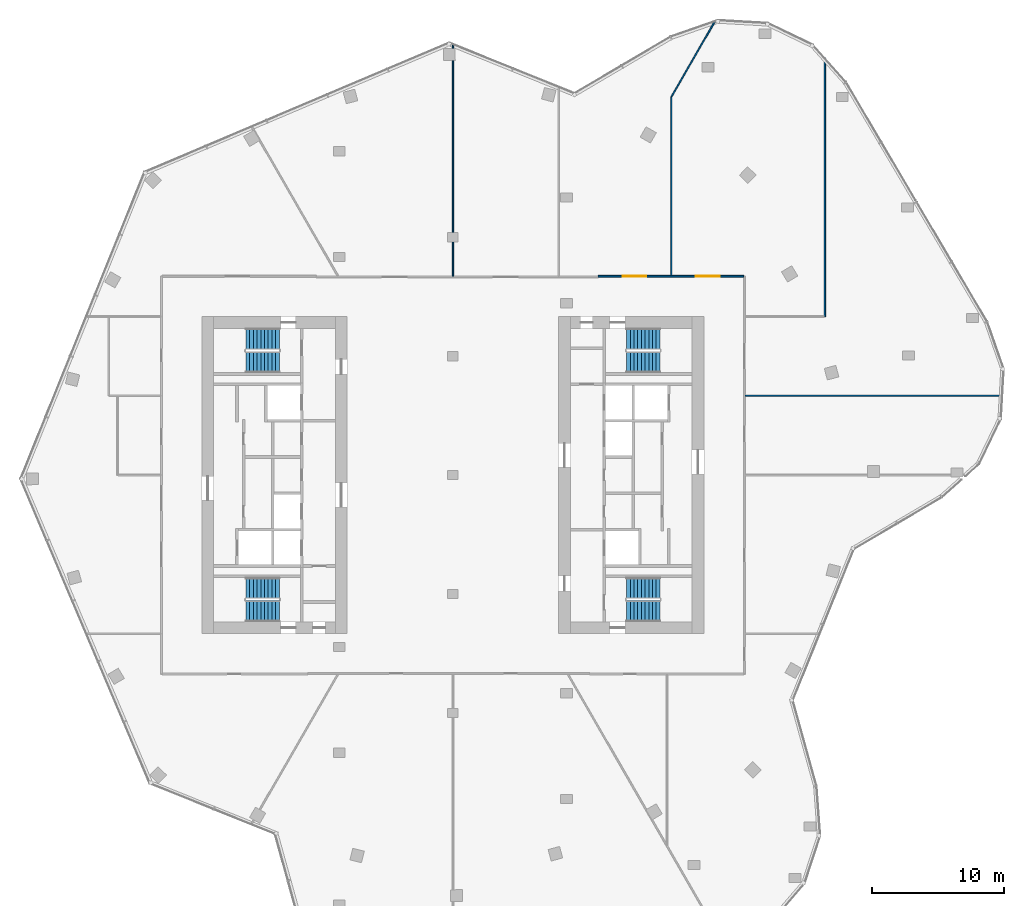
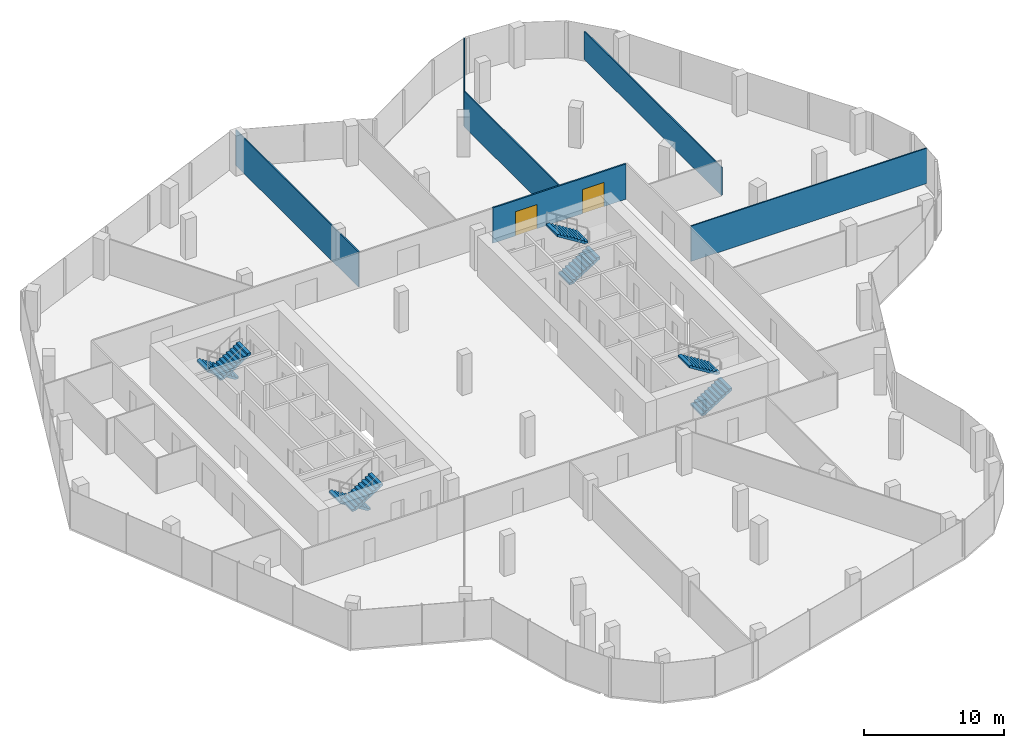
# One storey, part 15 of 16: 8 stair flights, 6 walls, 2 doors, 2 openings, 4 elements without a shape of their own.
"""IFC4 building model written with IfcOpenShell, lengths in metres."""

from ifc_helpers import new_model, si_unit, direction, frame, frame_2d, origin, place, context, subcontext, project, spatial, polyline, rectangle, outline, extrude, material, layer, layer_set, type_object, element, fill, aggregate, save


model = new_model("IFC4")

# Units and contexts
model_context = context("Model", 3, precision=1e-05, world=origin(), true_north=direction((0.0, 1.0)))
body_context = subcontext(model_context, "Body", "Model", "MODEL_VIEW")
ifc_project = project(units=[si_unit("LENGTHUNIT", "METRE"), si_unit("AREAUNIT", "SQUARE_METRE"), si_unit("VOLUMEUNIT", "CUBIC_METRE"), si_unit("PLANEANGLEUNIT", "RADIAN"), si_unit("MASSUNIT", "GRAM", prefix="KILO")], contexts=[model_context])

# Site, building, storey
site_placement = place(None, origin())
site = spatial("IfcSite", under=ifc_project, at=site_placement, CompositionType="ELEMENT")
building_placement = place(site_placement, origin())
building = spatial("IfcBuilding", under=site, at=building_placement, Name="Orlundy Tower", CompositionType="ELEMENT")
storey_placement = place(building_placement, frame((0.0, 0.0, 285.89990234375)))
storey = spatial("IfcBuildingStorey", under=building, at=storey_placement, Name="L76", CompositionType="ELEMENT", Elevation=285.89990234375)

# Walls
ifc_material_1 = material(Name="Gypsum board partition")
ifc_layer_1 = layer(ifc_material_1, 0.10009765625)
ifc_layer_set_1 = layer_set([ifc_layer_1], Name="Floor partition 100")
wall_type_1 = type_object("IfcWallType", Name="Floor partition 100", PredefinedType="PARTITIONING", material=ifc_layer_set_1)
wall_1_placement = place(storey_placement, frame((22.113037109375, 6.0, 0.0), z_axis=(0.0, 0.0, 1.0), x_axis=(1.0, 0.0, 0.0)))
element("IfcWall", 1, at=wall_1_placement, inside=storey, type_object=wall_type_1, Name="wall-int-L76-011", PredefinedType="PARTITIONING", context=body_context, shape_type="SweptSolid", body=[
    extrude(rectangle(XDim=19.469970703125, YDim=0.10009765625, at=frame_2d((9.73486328125, 0.0))), origin(), (0.0, 0.0, 1.0), 3.080078125),
])
wall_2_placement = place(storey_placement, frame((16.5458984375, 28.656982421875, 0.0), z_axis=(0.0, 0.0, 1.0), x_axis=(0.499962356603, 0.866047136119, 0.0)))
element("IfcWall", 2, at=wall_2_placement, inside=storey, type_object=wall_type_1, Name="wall-int-L76-018", PredefinedType="PARTITIONING", context=body_context, shape_type="SweptSolid", body=[
    extrude(rectangle(XDim=6.60693359375, YDim=0.10009765625, at=frame_2d((3.303466796875, 0.0))), origin(), (0.0, 0.0, 1.0), 3.080078125),
])
wall_3_placement = place(storey_placement, frame((16.52099609375, 15.114013671875, 0.0), z_axis=(0.0, 0.0, 1.0), x_axis=(0.0, 1.0, 0.0)))
element("IfcWall", 3, at=wall_3_placement, inside=storey, type_object=wall_type_1, Name="wall-int-L76-021", PredefinedType="PARTITIONING", context=body_context, shape_type="SweptSolid", body=[
    extrude(rectangle(XDim=13.5, YDim=0.10009765625, at=frame_2d((6.75, 0.0))), origin(), (0.0, 0.0, 1.0), 3.080078125),
])
wall_4_placement = place(storey_placement, frame((0.0, 15.06298828125, 0.0), z_axis=(0.0, 0.0, 1.0), x_axis=(0.0, 1.0, 0.0)))
element("IfcWall", 4, at=wall_4_placement, inside=storey, type_object=wall_type_1, Name="wall-int-L76-025", PredefinedType="PARTITIONING", context=body_context, shape_type="SweptSolid", body=[
    extrude(rectangle(XDim=17.56396484375, YDim=0.10009765625, at=frame_2d((8.781982421875, 0.0))), origin(), (0.0, 0.0, 1.0), 3.080078125),
])
ifc_material_2 = material(Name="Gypsum board partition")
ifc_layer_2 = layer(ifc_material_2, 0.10009765625)
ifc_layer_set_2 = layer_set([ifc_layer_2], Name="Floor partition 100 B")
wall_type_2 = type_object("IfcWallType", Name="Floor partition 100 B", PredefinedType="PARTITIONING", material=ifc_layer_set_2)
wall_5_placement = place(storey_placement, frame((28.14111328125, 12.0, 0.0), z_axis=(0.0, 0.0, 1.0), x_axis=(0.0, 1.0, 0.0)))
element("IfcWall", 5, at=wall_5_placement, inside=storey, type_object=wall_type_2, Name="wall-int-L76-019", PredefinedType="PARTITIONING", context=body_context, shape_type="SweptSolid", body=[
    extrude(rectangle(XDim=19.575927734375, YDim=0.10009765625, at=frame_2d((9.7880859375, 0.0))), origin(), (0.0, 0.0, 1.0), 2.445068359375),
])

# Wall, openings, doors
ifc_material_3 = material(Name="Gypsum board partition, double layer")
ifc_layer_3 = layer(ifc_material_3, 0.125)
ifc_layer_set_3 = layer_set([ifc_layer_3], Name="Floor partition 125")
wall_type_3 = type_object("IfcWallType", Name="Floor partition 125", PredefinedType="PARTITIONING", material=ifc_layer_set_3)
wall_6_placement = place(storey_placement, frame((10.990966796875, 15.051025390625, 0.0), z_axis=(0.0, 0.0, 1.0), x_axis=(1.0, 0.0, 0.0)))
wall_6 = element("IfcWall", 6, at=wall_6_placement, inside=storey, type_object=wall_type_3, Name="wall-int-L76-016", PredefinedType="PARTITIONING", context=body_context, shape_type="SweptSolid", body=[
    extrude(rectangle(XDim=10.9970703125, YDim=0.125, at=frame_2d((5.49853515625, 0.0))), origin(), (0.0, 0.0, 1.0), 3.080078125),
])
opening_1_placement = place(wall_6_placement, frame((7.3798828125, 0.0, 0.0)))
opening_1 = element("IfcOpeningElement", 7, at=opening_1_placement, cuts=wall_6, Name="Opening 58110", PredefinedType="OPENING", context=body_context, shape_type="SweptSolid", body=[
    extrude(rectangle(XDim=1.800048828125, YDim=2.10009765625, at=frame_2d((0.89990234375, 1.050048828125))), frame((0.0, 0.072509765625, 0.0), z_axis=(0.0, -1.0, 0.0), x_axis=(1.0, 0.0, 0.0)), (0.0, 0.0, 1.0), 0.14501953125),
])
opening_2_placement = place(wall_6_placement, frame((1.85009765625, 0.0, 0.0)))
opening_2 = element("IfcOpeningElement", 8, at=opening_2_placement, cuts=wall_6, Name="Opening 58111", PredefinedType="OPENING", context=body_context, shape_type="SweptSolid", body=[
    extrude(rectangle(XDim=1.800048828125, YDim=2.10009765625, at=frame_2d((0.89990234375, 1.050048828125))), frame((0.0, 0.072509765625, 0.0), z_axis=(0.0, -1.0, 0.0), x_axis=(1.0, 0.0, 0.0)), (0.0, 0.0, 1.0), 0.14501953125),
])
ifc_material_4 = material(Name="Timber door leaf", Category="wood")
door_type = type_object("IfcDoorType", Name="Floor door double 1800 FD30S", OperationType="NOTDEFINED", PredefinedType="DOOR", material=ifc_material_4)
door_1_placement = place(opening_1_placement, origin())
door_1 = element("IfcDoor", 9, at=door_1_placement, inside=storey, type_object=door_type, Name="Door 58110", OperationType="DOUBLE_DOOR_SINGLE_SWING", OverallHeight=2.10009765625, OverallWidth=1.800048828125, PredefinedType="DOOR", context=body_context, shape_type="SweptSolid", body=[
    extrude(rectangle(XDim=1.800048828125, YDim=2.10009765625, at=frame_2d((0.89990234375, 1.050048828125))), frame((0.0, 0.02490234375, 0.0), z_axis=(0.0, -1.0, 0.0), x_axis=(1.0, 0.0, 0.0)), (0.0, 0.0, 1.0), 0.050048828125),
])
fill(opening_1, door_1)
door_2_placement = place(opening_2_placement, origin())
door_2 = element("IfcDoor", 10, at=door_2_placement, inside=storey, type_object=door_type, Name="Door 58111", OperationType="DOUBLE_DOOR_SINGLE_SWING", OverallHeight=2.10009765625, OverallWidth=1.800048828125, PredefinedType="DOOR", context=body_context, shape_type="SweptSolid", body=[
    extrude(rectangle(XDim=1.800048828125, YDim=2.10009765625, at=frame_2d((0.89990234375, 1.050048828125))), frame((0.0, 0.02490234375, 0.0), z_axis=(0.0, -1.0, 0.0), x_axis=(1.0, 0.0, 0.0)), (0.0, 0.0, 1.0), 0.050048828125),
])
fill(opening_2, door_2)

# Stair, stair flights
ifc_material_5 = material(Name="Concrete C50/60", Category="concrete")
stair_type = type_object("IfcStairType", Name="Exit Stair 20 risers", PredefinedType="HALF_TURN_STAIR", material=ifc_material_5)
stair_1_placement = place(storey_placement, origin())
stair_1 = element("IfcStair", 11, at=stair_1_placement, inside=storey, type_object=stair_type, Name="L76 Exit Stair ST-W1", PredefinedType="HALF_TURN_STAIR")
ifc_material_6 = material(Name="Concrete C50/60", Category="concrete")
stair_flight_type = type_object("IfcStairFlightType", Name="Stair Flight 10 risers", PredefinedType="STRAIGHT", material=ifc_material_6)
stair_flight_1_placement = place(storey_placement, frame((-13.139892578125, 10.300048828125, 0.0), z_axis=(0.0, 0.0, 1.0), x_axis=(-1.0, 0.0, 0.0)))
stair_flight_1 = element("IfcStairFlight", 12, at=stair_flight_1_placement, type_object=stair_flight_type, Name="ST-W1 flight 1", NumberOfRisers=10, NumberOfTreads=9, PredefinedType="STRAIGHT", RiserHeight=0.175, TreadLength=0.28, context=body_context, shape_type="SweptSolid", body=[
    extrude(outline(polyline([(0.0, 0.0), (0.0, 0.175048828125), (0.280029296875, 0.175048828125), (0.280029296875, 0.35009765625), (0.56005859375, 0.35009765625), (0.56005859375, 0.52490234375), (0.840087890625, 0.52490234375), (0.840087890625, 0.699951171875), (1.1201171875, 0.699951171875), (1.1201171875, 0.875), (1.39990234375, 0.875), (1.39990234375, 1.050048828125), (1.679931640625, 1.050048828125), (1.679931640625, 1.22509765625), (1.9599609375, 1.22509765625), (1.9599609375, 1.39990234375), (2.239990234375, 1.39990234375), (2.239990234375, 1.574951171875), (2.52001953125, 1.574951171875), (2.52001953125, 1.75), (2.52001953125, 1.398193359375), (0.28271484375, 0.0), (0.0, 0.0)])), frame((0.0, 0.800048828125, 0.0), z_axis=(0.0, -1.0, 0.0), x_axis=(1.0, 0.0, 0.0)), (0.0, 0.0, 1.0), 1.60009765625),
])
stair_flight_2_placement = place(storey_placement, frame((-15.659912109375, 8.550048828125, 1.75), z_axis=(0.0, 0.0, 1.0), x_axis=(1.0, 0.0, 0.0)))
stair_flight_2 = element("IfcStairFlight", 13, at=stair_flight_2_placement, type_object=stair_flight_type, Name="ST-W1 flight 2", NumberOfRisers=10, NumberOfTreads=9, PredefinedType="STRAIGHT", RiserHeight=0.175, TreadLength=0.28, context=body_context, shape_type="SweptSolid", body=[
    extrude(outline(polyline([(0.0, 0.0), (0.0, 0.175048828125), (0.280029296875, 0.175048828125), (0.280029296875, 0.35009765625), (0.56005859375, 0.35009765625), (0.56005859375, 0.52490234375), (0.840087890625, 0.52490234375), (0.840087890625, 0.699951171875), (1.1201171875, 0.699951171875), (1.1201171875, 0.875), (1.39990234375, 0.875), (1.39990234375, 1.050048828125), (1.679931640625, 1.050048828125), (1.679931640625, 1.22509765625), (1.9599609375, 1.22509765625), (1.9599609375, 1.39990234375), (2.239990234375, 1.39990234375), (2.239990234375, 1.574951171875), (2.52001953125, 1.574951171875), (2.52001953125, 1.75), (2.52001953125, 1.398193359375), (0.28271484375, 0.0), (0.0, 0.0)])), frame((0.0, 0.800048828125, 0.0), z_axis=(0.0, -1.0, 0.0), x_axis=(1.0, 0.0, 0.0)), (0.0, 0.0, 1.0), 1.60009765625),
])
aggregate(stair_1, [stair_flight_1, stair_flight_2])

stair_2_placement = place(storey_placement, origin())
stair_2 = element("IfcStair", 14, at=stair_2_placement, inside=storey, type_object=stair_type, Name="L76 Exit Stair ST-W2", PredefinedType="HALF_TURN_STAIR")
stair_flight_3_placement = place(storey_placement, frame((-13.139892578125, -8.550048828125, 0.0), z_axis=(0.0, 0.0, 1.0), x_axis=(-1.0, 0.0, 0.0)))
stair_flight_3 = element("IfcStairFlight", 15, at=stair_flight_3_placement, type_object=stair_flight_type, Name="ST-W2 flight 1", NumberOfRisers=10, NumberOfTreads=9, PredefinedType="STRAIGHT", RiserHeight=0.175, TreadLength=0.28, context=body_context, shape_type="SweptSolid", body=[
    extrude(outline(polyline([(0.0, 0.0), (0.0, 0.175048828125), (0.280029296875, 0.175048828125), (0.280029296875, 0.35009765625), (0.56005859375, 0.35009765625), (0.56005859375, 0.52490234375), (0.840087890625, 0.52490234375), (0.840087890625, 0.699951171875), (1.1201171875, 0.699951171875), (1.1201171875, 0.875), (1.39990234375, 0.875), (1.39990234375, 1.050048828125), (1.679931640625, 1.050048828125), (1.679931640625, 1.22509765625), (1.9599609375, 1.22509765625), (1.9599609375, 1.39990234375), (2.239990234375, 1.39990234375), (2.239990234375, 1.574951171875), (2.52001953125, 1.574951171875), (2.52001953125, 1.75), (2.52001953125, 1.398193359375), (0.28271484375, 0.0), (0.0, 0.0)])), frame((0.0, 0.800048828125, 0.0), z_axis=(0.0, -1.0, 0.0), x_axis=(1.0, 0.0, 0.0)), (0.0, 0.0, 1.0), 1.60009765625),
])
stair_flight_4_placement = place(storey_placement, frame((-15.659912109375, -10.300048828125, 1.75), z_axis=(0.0, 0.0, 1.0), x_axis=(1.0, 0.0, 0.0)))
stair_flight_4 = element("IfcStairFlight", 16, at=stair_flight_4_placement, type_object=stair_flight_type, Name="ST-W2 flight 2", NumberOfRisers=10, NumberOfTreads=9, PredefinedType="STRAIGHT", RiserHeight=0.175, TreadLength=0.28, context=body_context, shape_type="SweptSolid", body=[
    extrude(outline(polyline([(0.0, 0.0), (0.0, 0.175048828125), (0.280029296875, 0.175048828125), (0.280029296875, 0.35009765625), (0.56005859375, 0.35009765625), (0.56005859375, 0.52490234375), (0.840087890625, 0.52490234375), (0.840087890625, 0.699951171875), (1.1201171875, 0.699951171875), (1.1201171875, 0.875), (1.39990234375, 0.875), (1.39990234375, 1.050048828125), (1.679931640625, 1.050048828125), (1.679931640625, 1.22509765625), (1.9599609375, 1.22509765625), (1.9599609375, 1.39990234375), (2.239990234375, 1.39990234375), (2.239990234375, 1.574951171875), (2.52001953125, 1.574951171875), (2.52001953125, 1.75), (2.52001953125, 1.398193359375), (0.28271484375, 0.0), (0.0, 0.0)])), frame((0.0, 0.800048828125, 0.0), z_axis=(0.0, -1.0, 0.0), x_axis=(1.0, 0.0, 0.0)), (0.0, 0.0, 1.0), 1.60009765625),
])
aggregate(stair_2, [stair_flight_3, stair_flight_4])

stair_3_placement = place(storey_placement, origin())
stair_3 = element("IfcStair", 17, at=stair_3_placement, inside=storey, type_object=stair_type, Name="L76 Exit Stair ST-E1", PredefinedType="HALF_TURN_STAIR")
stair_flight_5_placement = place(storey_placement, frame((13.139892578125, -10.300048828125, 0.0), z_axis=(0.0, 0.0, 1.0), x_axis=(1.0, 0.0, 0.0)))
stair_flight_5 = element("IfcStairFlight", 18, at=stair_flight_5_placement, type_object=stair_flight_type, Name="ST-E1 flight 1", NumberOfRisers=10, NumberOfTreads=9, PredefinedType="STRAIGHT", RiserHeight=0.175, TreadLength=0.28, context=body_context, shape_type="SweptSolid", body=[
    extrude(outline(polyline([(0.0, 0.0), (0.0, 0.175048828125), (0.280029296875, 0.175048828125), (0.280029296875, 0.35009765625), (0.56005859375, 0.35009765625), (0.56005859375, 0.52490234375), (0.840087890625, 0.52490234375), (0.840087890625, 0.699951171875), (1.1201171875, 0.699951171875), (1.1201171875, 0.875), (1.39990234375, 0.875), (1.39990234375, 1.050048828125), (1.679931640625, 1.050048828125), (1.679931640625, 1.22509765625), (1.9599609375, 1.22509765625), (1.9599609375, 1.39990234375), (2.239990234375, 1.39990234375), (2.239990234375, 1.574951171875), (2.52001953125, 1.574951171875), (2.52001953125, 1.75), (2.52001953125, 1.398193359375), (0.28271484375, 0.0), (0.0, 0.0)])), frame((0.0, 0.800048828125, 0.0), z_axis=(0.0, -1.0, 0.0), x_axis=(1.0, 0.0, 0.0)), (0.0, 0.0, 1.0), 1.60009765625),
])
stair_flight_6_placement = place(storey_placement, frame((15.659912109375, -8.550048828125, 1.75), z_axis=(0.0, 0.0, 1.0), x_axis=(-1.0, 0.0, 0.0)))
stair_flight_6 = element("IfcStairFlight", 19, at=stair_flight_6_placement, type_object=stair_flight_type, Name="ST-E1 flight 2", NumberOfRisers=10, NumberOfTreads=9, PredefinedType="STRAIGHT", RiserHeight=0.175, TreadLength=0.28, context=body_context, shape_type="SweptSolid", body=[
    extrude(outline(polyline([(0.0, 0.0), (0.0, 0.175048828125), (0.280029296875, 0.175048828125), (0.280029296875, 0.35009765625), (0.56005859375, 0.35009765625), (0.56005859375, 0.52490234375), (0.840087890625, 0.52490234375), (0.840087890625, 0.699951171875), (1.1201171875, 0.699951171875), (1.1201171875, 0.875), (1.39990234375, 0.875), (1.39990234375, 1.050048828125), (1.679931640625, 1.050048828125), (1.679931640625, 1.22509765625), (1.9599609375, 1.22509765625), (1.9599609375, 1.39990234375), (2.239990234375, 1.39990234375), (2.239990234375, 1.574951171875), (2.52001953125, 1.574951171875), (2.52001953125, 1.75), (2.52001953125, 1.398193359375), (0.28271484375, 0.0), (0.0, 0.0)])), frame((0.0, 0.800048828125, 0.0), z_axis=(0.0, -1.0, 0.0), x_axis=(1.0, 0.0, 0.0)), (0.0, 0.0, 1.0), 1.60009765625),
])
aggregate(stair_3, [stair_flight_5, stair_flight_6])

stair_4_placement = place(storey_placement, origin())
stair_4 = element("IfcStair", 20, at=stair_4_placement, inside=storey, type_object=stair_type, Name="L76 Exit Stair ST-E2", PredefinedType="HALF_TURN_STAIR")
stair_flight_7_placement = place(storey_placement, frame((13.139892578125, 8.550048828125, 0.0), z_axis=(0.0, 0.0, 1.0), x_axis=(1.0, 0.0, 0.0)))
stair_flight_7 = element("IfcStairFlight", 21, at=stair_flight_7_placement, type_object=stair_flight_type, Name="ST-E2 flight 1", NumberOfRisers=10, NumberOfTreads=9, PredefinedType="STRAIGHT", RiserHeight=0.175, TreadLength=0.28, context=body_context, shape_type="SweptSolid", body=[
    extrude(outline(polyline([(0.0, 0.0), (0.0, 0.175048828125), (0.280029296875, 0.175048828125), (0.280029296875, 0.35009765625), (0.56005859375, 0.35009765625), (0.56005859375, 0.52490234375), (0.840087890625, 0.52490234375), (0.840087890625, 0.699951171875), (1.1201171875, 0.699951171875), (1.1201171875, 0.875), (1.39990234375, 0.875), (1.39990234375, 1.050048828125), (1.679931640625, 1.050048828125), (1.679931640625, 1.22509765625), (1.9599609375, 1.22509765625), (1.9599609375, 1.39990234375), (2.239990234375, 1.39990234375), (2.239990234375, 1.574951171875), (2.52001953125, 1.574951171875), (2.52001953125, 1.75), (2.52001953125, 1.398193359375), (0.28271484375, 0.0), (0.0, 0.0)])), frame((0.0, 0.800048828125, 0.0), z_axis=(0.0, -1.0, 0.0), x_axis=(1.0, 0.0, 0.0)), (0.0, 0.0, 1.0), 1.60009765625),
])
stair_flight_8_placement = place(storey_placement, frame((15.659912109375, 10.300048828125, 1.75), z_axis=(0.0, 0.0, 1.0), x_axis=(-1.0, 0.0, 0.0)))
stair_flight_8 = element("IfcStairFlight", 22, at=stair_flight_8_placement, type_object=stair_flight_type, Name="ST-E2 flight 2", NumberOfRisers=10, NumberOfTreads=9, PredefinedType="STRAIGHT", RiserHeight=0.175, TreadLength=0.28, context=body_context, shape_type="SweptSolid", body=[
    extrude(outline(polyline([(0.0, 0.0), (0.0, 0.175048828125), (0.280029296875, 0.175048828125), (0.280029296875, 0.35009765625), (0.56005859375, 0.35009765625), (0.56005859375, 0.52490234375), (0.840087890625, 0.52490234375), (0.840087890625, 0.699951171875), (1.1201171875, 0.699951171875), (1.1201171875, 0.875), (1.39990234375, 0.875), (1.39990234375, 1.050048828125), (1.679931640625, 1.050048828125), (1.679931640625, 1.22509765625), (1.9599609375, 1.22509765625), (1.9599609375, 1.39990234375), (2.239990234375, 1.39990234375), (2.239990234375, 1.574951171875), (2.52001953125, 1.574951171875), (2.52001953125, 1.75), (2.52001953125, 1.398193359375), (0.28271484375, 0.0), (0.0, 0.0)])), frame((0.0, 0.800048828125, 0.0), z_axis=(0.0, -1.0, 0.0), x_axis=(1.0, 0.0, 0.0)), (0.0, 0.0, 1.0), 1.60009765625),
])
aggregate(stair_4, [stair_flight_7, stair_flight_8])

save(model, "model.ifc")
